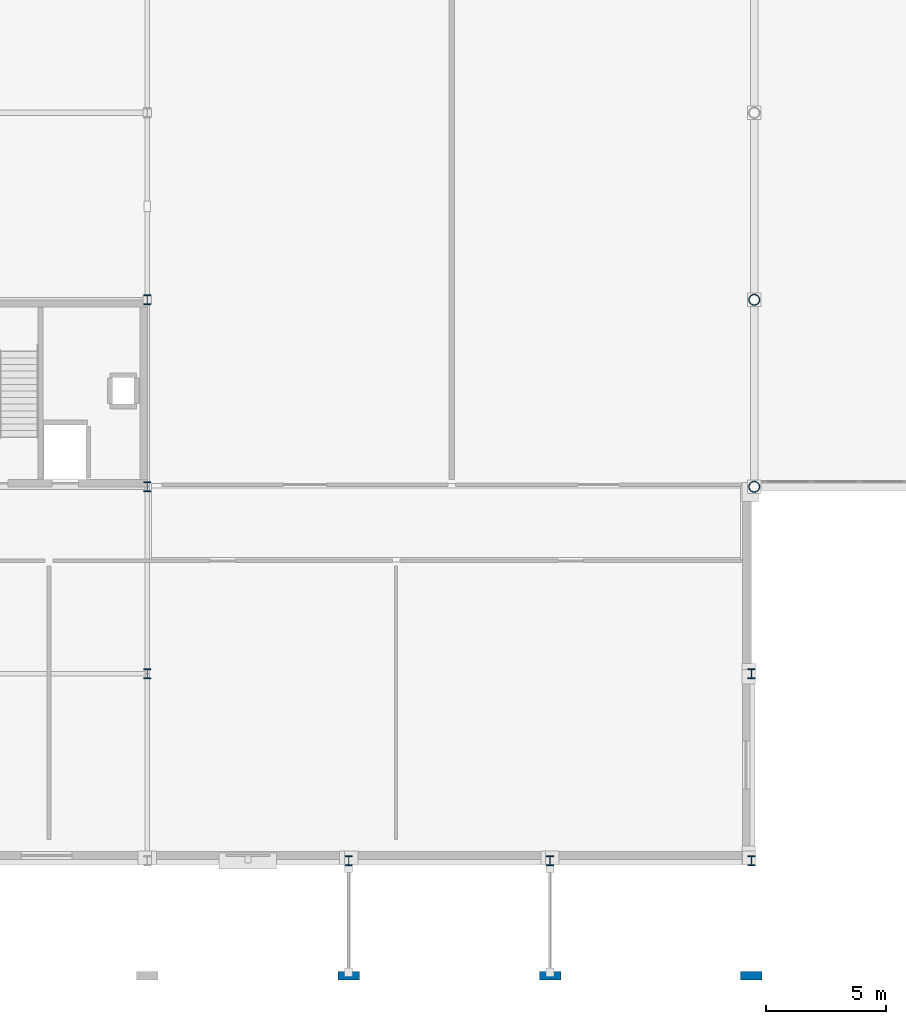
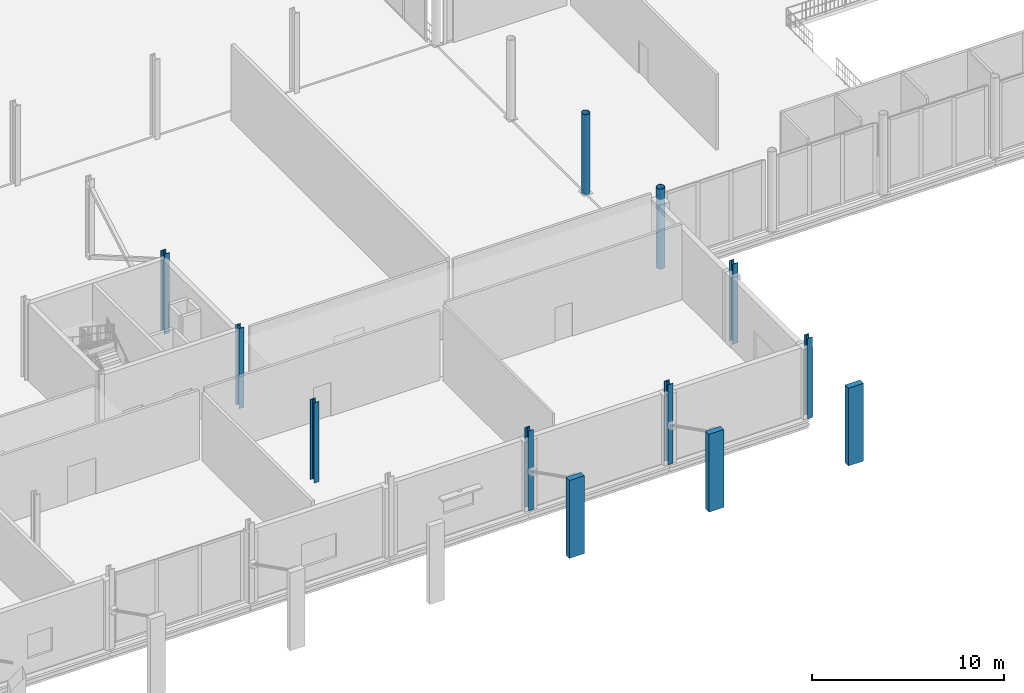
# One storey, part 2 of 105: 12 columns.
"""IFC4 building model written with IfcOpenShell, lengths in metres."""

from ifc_helpers import new_model, si_unit, direction, frame, origin, origin_2d, place, context, subcontext, project, spatial, rectangle, hollow_circle, i_section, extrude, material, material_profile, profile_set, type_object, element, save


model = new_model("IFC4")

# Units and contexts
model_context = context("Model", 3, precision=1e-05, world=origin(), true_north=direction((0.0, 1.0)))
body_context = subcontext(model_context, "Body", "Model", "MODEL_VIEW")
ifc_project = project(units=[si_unit("LENGTHUNIT", "METRE"), si_unit("AREAUNIT", "SQUARE_METRE"), si_unit("VOLUMEUNIT", "CUBIC_METRE"), si_unit("PLANEANGLEUNIT", "RADIAN"), si_unit("MASSUNIT", "GRAM", prefix="KILO")], contexts=[model_context])

# Site, building, storey
site_placement = place(None, origin())
site = spatial("IfcSite", under=ifc_project, at=site_placement, CompositionType="ELEMENT")
building_placement = place(site_placement, origin())
building = spatial("IfcBuilding", under=site, at=building_placement, Name="Nabrawat Pavilion Hospital", CompositionType="ELEMENT")
storey_placement = place(building_placement, frame((0.0, 0.0, 5.10009765625)))
storey = spatial("IfcBuildingStorey", under=building, at=storey_placement, Name="L01", CompositionType="ELEMENT", Elevation=5.10009765625)

# Columns
ifc_material_1 = material(Name="Steel S355", Category="steel")
ifc_material_profile_1 = material_profile(ifc_material_1, i_section(OverallWidth=0.300048828125, OverallDepth=0.39990234375, WebThickness=0.013427734375, FlangeThickness=0.02392578125, FilletRadius=0.027099609375, at=origin_2d()), Name="HEB 400")
ifc_profile_set_1 = profile_set([ifc_material_profile_1], Name="Steel S355")
column_type_1 = type_object("IfcColumnType", Name="Composite Steel Column HEB 400", PredefinedType="COLUMN", material=ifc_profile_set_1)
for number, where, z_axis, x_axis, name in (
    (1, (33.60009765625, 7.800048828125, 0.0), (0.0, 0.0, 1.0), (1.0, 0.0, 0.0), "L01 Structural Column G-5-B"),
    (2, (33.60009765625, 15.60009765625, 0.0), (0.0, 0.0, 1.0), (1.0, 0.0, 0.0), "L01 Structural Column G-5-C"),
    (3, (33.60009765625, 23.39990234375, 0.0), (0.0, 0.0, 1.0), (1.0, 0.0, 0.0), "L01 Structural Column G-5-D"),
    (4, (42.0, 0.0, 0.0), (0.0, 0.0, 1.0), (1.0, 0.0, 0.0), "L01 Structural Column G-6-A"),
    (5, (50.39990234375, 0.0, 0.0), (0.0, 0.0, 1.0), (1.0, 0.0, 0.0), "L01 Structural Column G-7-A"),
    (6, (58.800048828125, 0.0, 0.0), (0.0, 0.0, 1.0), (1.0, 0.0, 0.0), "L01 Structural Column G-8A-A"),
    (7, (58.800048828125, 7.800048828125, 0.0), (0.0, 0.0, 1.0), (1.0, 0.0, 0.0), "L01 Structural Column G-8A-B"),
):
    element("IfcColumn", number, at=place(storey_placement, frame(where, z_axis=z_axis, x_axis=x_axis)), inside=storey, type_object=column_type_1, Name=name, PredefinedType="COLUMN", context=body_context, shape_type="SweptSolid", body=[
        extrude(i_section(OverallWidth=0.300048828125, OverallDepth=0.39990234375, WebThickness=0.013427734375, FlangeThickness=0.02392578125, FilletRadius=0.027099609375, at=origin_2d()), origin(), (0.0, 0.0, 1.0), 5.099853515625),
    ])
ifc_material_profile_2 = material_profile(ifc_material_1, hollow_circle(Radius=0.228515625, WallThickness=0.02001953125, at=origin_2d()), Name="CHS 457x20")
ifc_profile_set_2 = profile_set([ifc_material_profile_2], Name="Steel S355")
column_type_2 = type_object("IfcColumnType", Name="Expressed Pavilion Tubular Column CHS 457x20", PredefinedType="COLUMN", material=ifc_profile_set_2)
for number, where, z_axis, x_axis, name in (
    (8, (58.919921875, 15.60009765625, 0.0), (0.0, 0.0, 1.0), (1.0, 0.0, 0.0), "L01 Expressed Pavilion Column MH-S00"),
    (9, (58.919921875, 23.39990234375, 0.0), (0.0, 0.0, 1.0), (1.0, 0.0, 0.0), "L01 Expressed Pavilion Column MH-W01"),
):
    element("IfcColumn", number, at=place(storey_placement, frame(where, z_axis=z_axis, x_axis=x_axis)), inside=storey, type_object=column_type_2, Name=name, PredefinedType="COLUMN", context=body_context, shape_type="SweptSolid", body=[
        extrude(hollow_circle(Radius=0.228515625, WallThickness=0.02001953125, at=origin_2d()), origin(), (0.0, 0.0, 1.0), 5.099853515625),
    ])
ifc_material_2 = material(Name="Precast concrete C40/50", Category="concrete")
ifc_material_profile_3 = material_profile(ifc_material_2, rectangle(XDim=0.35009765625, YDim=0.89990234375, at=origin_2d()), Name="PC 350x900")
ifc_profile_set_3 = profile_set([ifc_material_profile_3], Name="Precast concrete C40/50")
column_type_3 = type_object("IfcColumnType", Name="South Colonnade Precast Pilaster 350x900", PredefinedType="PILASTER", material=ifc_profile_set_3)
for number, where, z_axis, x_axis, name in (
    (10, (42.0, -4.800048828125, 0.0), (0.0, 0.0, 1.0), (0.0, 1.0, 0.0), "L01 Colonnade Precast Pilaster PIL-S-6"),
    (11, (50.39990234375, -4.800048828125, 0.0), (0.0, 0.0, 1.0), (0.0, 1.0, 0.0), "L01 Colonnade Precast Pilaster PIL-S-7"),
    (12, (58.800048828125, -4.800048828125, 0.0), (0.0, 0.0, 1.0), (0.0, 1.0, 0.0), "L01 Colonnade Precast Pilaster PIL-S-8A"),
):
    element("IfcColumn", number, at=place(storey_placement, frame(where, z_axis=z_axis, x_axis=x_axis)), inside=storey, type_object=column_type_3, Name=name, PredefinedType="PILASTER", context=body_context, shape_type="SweptSolid", body=[
        extrude(rectangle(XDim=0.35009765625, YDim=0.89990234375, at=origin_2d()), origin(), (0.0, 0.0, 1.0), 4.949951171875),
    ])

save(model, "model.ifc")
